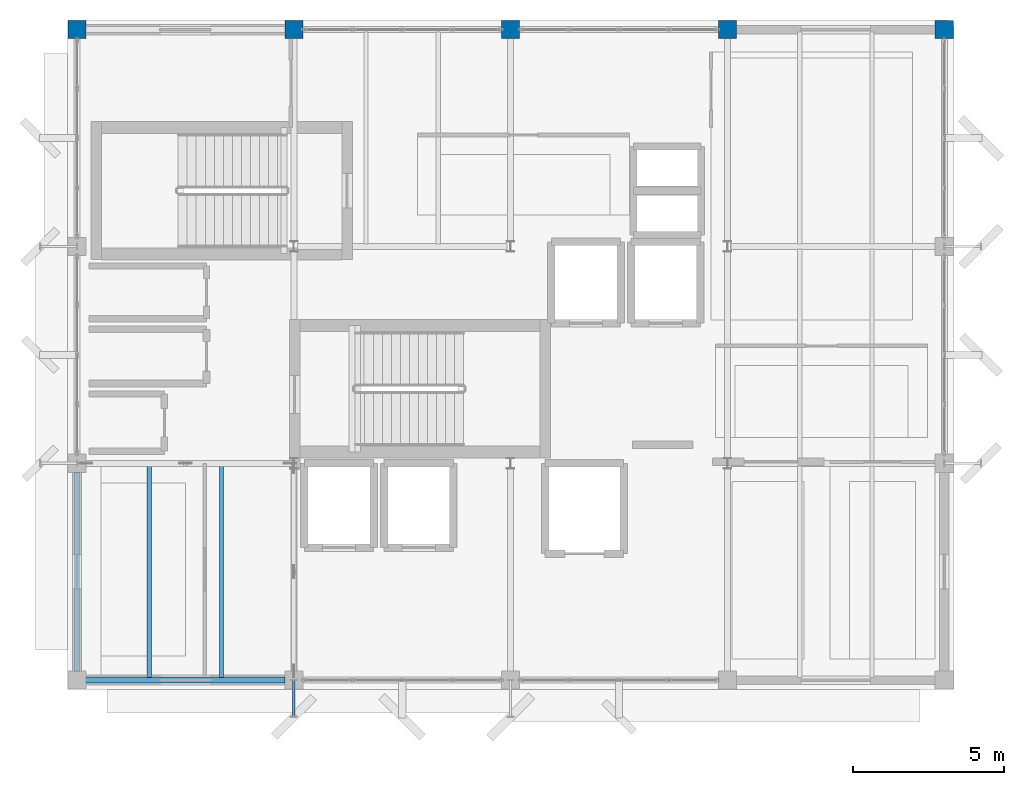
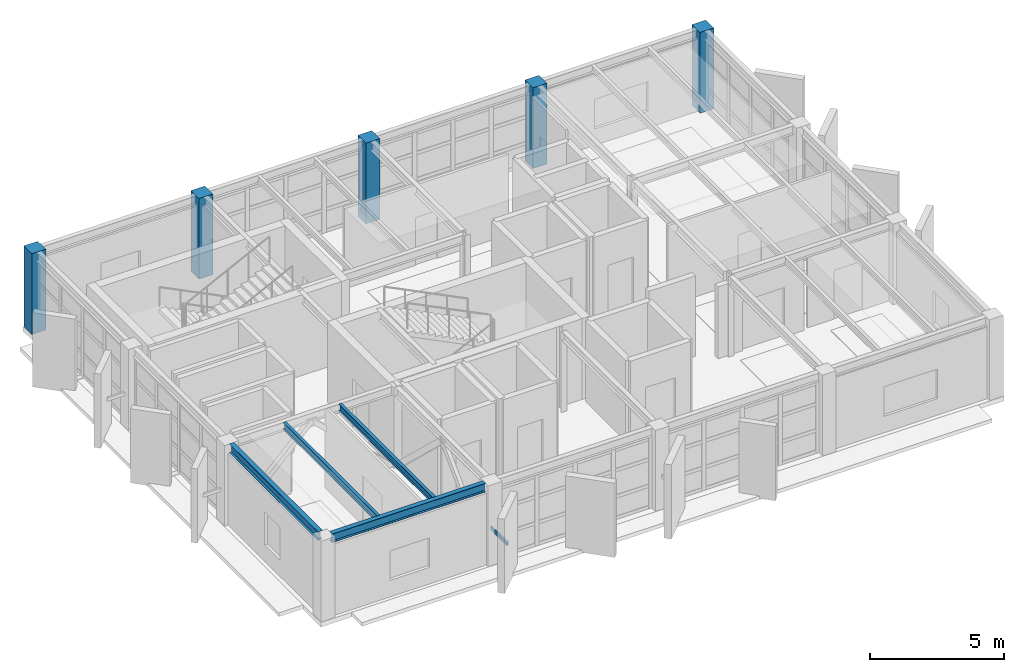
# One storey, part 2 of 15: 5 columns, 4 beams, 1 member.
"""IFC4 building model written with IfcOpenShell, lengths in metres."""

from ifc_helpers import new_model, si_unit, direction, frame, origin, origin_2d, place, context, subcontext, project, spatial, rectangle, hollow_rectangle, i_section, extrude, material, material_profile, profile_set, type_object, element, save


model = new_model("IFC4")

# Units and contexts
model_context = context("Model", 3, precision=1e-05, world=origin(), true_north=direction((0.0, 1.0)))
body_context = subcontext(model_context, "Body", "Model", "MODEL_VIEW")
ifc_project = project(units=[si_unit("LENGTHUNIT", "METRE"), si_unit("AREAUNIT", "SQUARE_METRE"), si_unit("VOLUMEUNIT", "CUBIC_METRE"), si_unit("PLANEANGLEUNIT", "RADIAN"), si_unit("MASSUNIT", "GRAM", prefix="KILO")], contexts=[model_context])

# Site, building, storey
site_placement = place(None, origin())
site = spatial("IfcSite", under=ifc_project, at=site_placement, CompositionType="ELEMENT")
building_placement = place(site_placement, origin())
building = spatial("IfcBuilding", under=site, at=building_placement, Name="Kandorven Conservatory and Botanical Research Centre", CompositionType="ELEMENT")
storey_placement = place(building_placement, frame((0.0, 0.0, 48.300048828125)))
storey = spatial("IfcBuildingStorey", under=building, at=storey_placement, Name="L12", CompositionType="ELEMENT", Elevation=48.300048828125)

# Columns
ifc_material_1 = material(Name="Concrete C40/50 (M50)", Category="concrete")
ifc_material_profile_1 = material_profile(ifc_material_1, rectangle(XDim=0.60009765625, YDim=0.60009765625, at=origin_2d()))
ifc_profile_set_1 = profile_set([ifc_material_profile_1], Name="Concrete C40/50 (M50)")
column_type = type_object("IfcColumnType", Name="Col_TC-04", PredefinedType="COLUMN", material=ifc_profile_set_1)
for number, where, z_axis, x_axis, name in (
    (1, (6.0, 27.60009765625, 0.0), (0.0, 0.0, 1.0), (1.0, 0.0, 0.0), "Column TC-04 TWR L12 (1,4)"),
    (2, (13.199951171875, 27.60009765625, 0.0), (0.0, 0.0, 1.0), (1.0, 0.0, 0.0), "Column TC-04 TWR L12 (2,4)"),
    (3, (20.39990234375, 27.60009765625, 0.0), (0.0, 0.0, 1.0), (1.0, 0.0, 0.0), "Column TC-04 TWR L12 (3,4)"),
    (4, (27.60009765625, 27.60009765625, 0.0), (0.0, 0.0, 1.0), (1.0, 0.0, 0.0), "Column TC-04 TWR L12 (4,4)"),
    (5, (34.800048828125, 27.60009765625, 0.0), (0.0, 0.0, 1.0), (1.0, 0.0, 0.0), "Column TC-04 TWR L12 (5,4)"),
):
    element("IfcColumn", number, at=place(storey_placement, frame(where, z_axis=z_axis, x_axis=x_axis)), inside=storey, type_object=column_type, Name=name, PredefinedType="COLUMN", context=body_context, shape_type="SweptSolid", body=[
        extrude(rectangle(XDim=0.60009765625, YDim=0.60009765625, at=origin_2d()), origin(), (0.0, 0.0, 1.0), 3.679931640625),
    ])

# Beams
ifc_material_2 = material(Name="Steel S355 (IS 2062 E350)", Category="steel")
ifc_material_profile_2 = material_profile(ifc_material_2, i_section(OverallWidth=0.199951171875, OverallDepth=0.39990234375, WebThickness=0.008544921875, FlangeThickness=0.012939453125, at=origin_2d()))
ifc_profile_set_2 = profile_set([ifc_material_profile_2], Name="Steel S355 (IS 2062 E350)")
beam_type_1 = type_object("IfcBeamType", Name="Beam_FG-03", PredefinedType="USERDEFINED", material=ifc_profile_set_2)
for number, where, z_axis, x_axis, name in (
    (6, (6.2900390625, 6.0, 3.47998046875), (1.0, 0.0, 0.0), (0.0, 1.0, 0.0), "Primary girder FG-03 TWR L12"),
    (7, (6.0, 6.2900390625, 3.47998046875), (0.0, 1.0, 0.0), (-1.0, 0.0, 0.0), "Primary girder FG-03 TWR L12"),
):
    element("IfcBeam", number, at=place(storey_placement, frame(where, z_axis=z_axis, x_axis=x_axis)), inside=storey, type_object=beam_type_1, Name=name, ObjectType="GIRDER", PredefinedType="USERDEFINED", context=body_context, shape_type="SweptSolid", body=[
        extrude(i_section(OverallWidth=0.199951171875, OverallDepth=0.39990234375, WebThickness=0.008544921875, FlangeThickness=0.012939453125, at=origin_2d()), origin(), (0.0, 0.0, 1.0), 6.619873046875),
    ])
ifc_material_3 = material(Name="Steel S355 (IS 2062 E350)", Category="steel")
ifc_material_profile_3 = material_profile(ifc_material_3, i_section(OverallWidth=0.139892578125, OverallDepth=0.300048828125, WebThickness=0.0078125, FlangeThickness=0.01318359375, at=origin_2d()))
ifc_profile_set_3 = profile_set([ifc_material_profile_3], Name="Steel S355 (IS 2062 E350)")
beam_type_2 = type_object("IfcBeamType", Name="Beam_SB-07", PredefinedType="BEAM", material=ifc_profile_set_3)
for number, where, z_axis, x_axis, name in (
    (8, (8.39990234375, 6.0849609375, 3.530029296875), (0.0, 1.0, 0.0), (-1.0, 0.0, 0.0), "Composite secondary beam SB-07 TWR L12"),
    (9, (10.800048828125, 6.0849609375, 3.530029296875), (0.0, 1.0, 0.0), (-1.0, 0.0, 0.0), "Composite secondary beam SB-07 TWR L12"),
):
    element("IfcBeam", number, at=place(storey_placement, frame(where, z_axis=z_axis, x_axis=x_axis)), inside=storey, type_object=beam_type_2, Name=name, PredefinedType="BEAM", context=body_context, shape_type="SweptSolid", body=[
        extrude(i_section(OverallWidth=0.139892578125, OverallDepth=0.300048828125, WebThickness=0.0078125, FlangeThickness=0.01318359375, at=origin_2d()), origin(), (0.0, 0.0, 1.0), 7.030029296875),
    ])

# Member
ifc_material_4 = material(Name="Steel S355 (IS 2062 E350)", Category="steel")
ifc_material_profile_4 = material_profile(ifc_material_4, hollow_rectangle(XDim=0.074951171875, YDim=0.14990234375, WallThickness=0.006103515625, at=origin_2d()))
ifc_profile_set_4 = profile_set([ifc_material_profile_4], Name="Steel S355 (IS 2062 E350)")
member_type = type_object("IfcMemberType", Name="Mem_SF-01", PredefinedType="STRUT", material=ifc_profile_set_4)
member_placement = place(storey_placement, frame((13.199951171875, 6.0, 1.5), z_axis=(0.0, -1.0, 0.0), x_axis=(1.0, 0.0, 0.0)))
element("IfcMember", 10, at=member_placement, inside=storey, type_object=member_type, Name="Solar fin steel outrigger strut SF-01 #97", PredefinedType="STRUT", context=body_context, shape_type="SweptSolid", body=[
    extrude(hollow_rectangle(XDim=0.074951171875, YDim=0.14990234375, WallThickness=0.006103515625, at=origin_2d()), origin(), (0.0, 0.0, 1.0), 1.219970703125),
])

save(model, "model.ifc")
